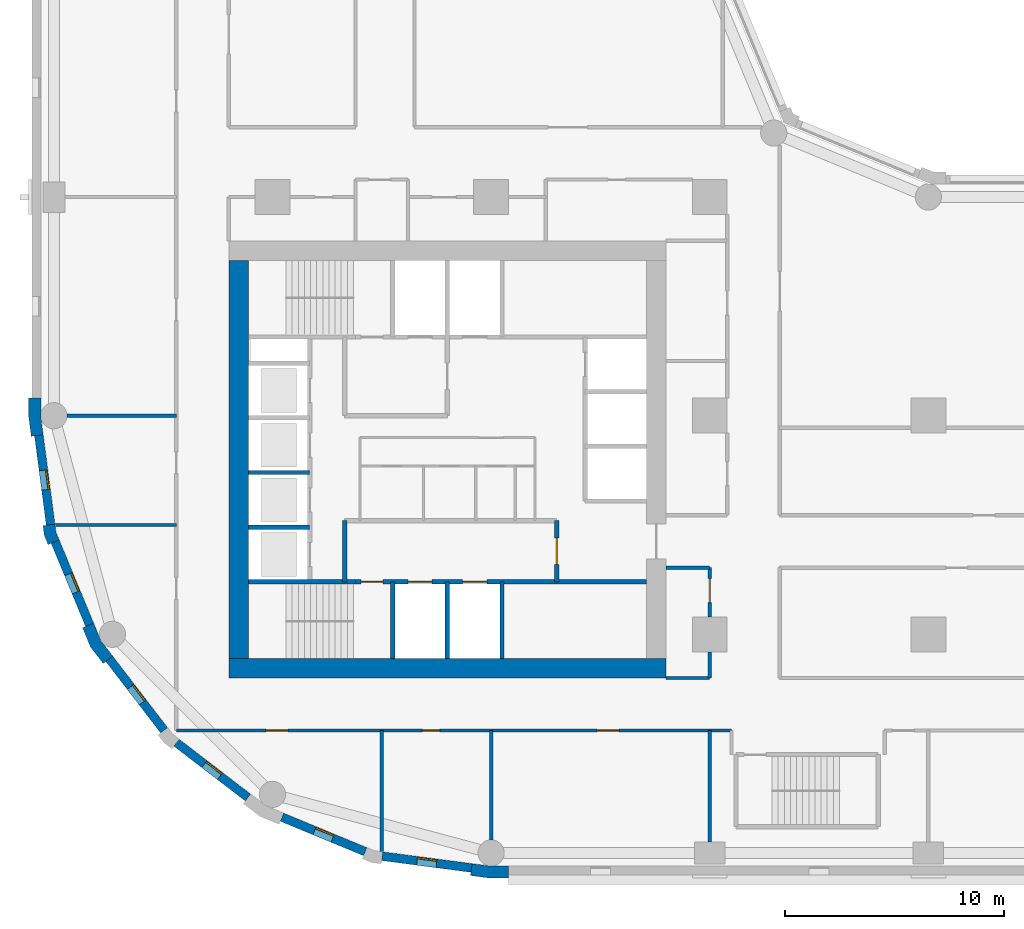
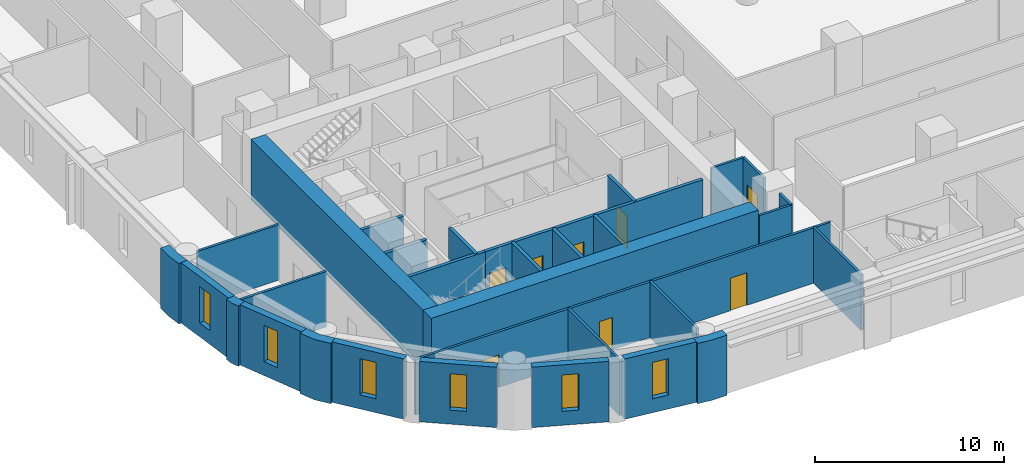
# One storey, part 2 of 11: 31 walls, 8 doors, 6 windows, 14 openings.
"""IFC4 building model written with IfcOpenShell, lengths in metres."""

from ifc_helpers import new_model, si_unit, direction, frame, frame_2d, origin, place, context, subcontext, project, spatial, polyline, rectangle, outline, extrude, material, layer, layer_set, type_object, element, fill, save


model = new_model("IFC4")

# Units and contexts
model_context = context("Model", 3, precision=1e-05, world=origin(), true_north=direction((0.0, 1.0)))
body_context = subcontext(model_context, "Body", "Model", "MODEL_VIEW")
ifc_project = project(units=[si_unit("LENGTHUNIT", "METRE"), si_unit("AREAUNIT", "SQUARE_METRE"), si_unit("VOLUMEUNIT", "CUBIC_METRE"), si_unit("PLANEANGLEUNIT", "RADIAN"), si_unit("MASSUNIT", "GRAM", prefix="KILO")], contexts=[model_context])

# Site, building, storey
site_placement = place(None, origin())
site = spatial("IfcSite", under=ifc_project, at=site_placement, CompositionType="ELEMENT")
building_placement = place(site_placement, origin())
building = spatial("IfcBuilding", under=site, at=building_placement, Name="Qaws Garden Tower", CompositionType="ELEMENT")
storey_placement = place(building_placement, frame((0.0, 0.0, 23.699951171875)))
storey = spatial("IfcBuildingStorey", under=building, at=storey_placement, Name="L05", CompositionType="ELEMENT", Elevation=23.699951171875)

# Wall, opening, window
ifc_material_1 = material(Name="Clay facing brick masonry", Category="masonry")
ifc_layer_1 = layer(ifc_material_1, 0.39990234375)
ifc_layer_set_1 = layer_set([ifc_layer_1], Name="Clay facing brick masonry")
wall_type_1 = type_object("IfcWallType", Name="Brick infill wall 400", PredefinedType="SOLIDWALL", material=ifc_layer_set_1)
wall_1_placement = place(storey_placement, frame((-0.688720703125, 19.102294921875, 0.0), z_axis=(0.0, 0.0, 1.0), x_axis=(0.130514280502, -0.991446429508, 0.0)))
wall_1 = element("IfcWall", 1, at=wall_1_placement, inside=storey, type_object=wall_type_1, Name="E-L05-infill-27", PredefinedType="SOLIDWALL", context=body_context, shape_type="SweptSolid", body=[
    extrude(rectangle(XDim=4.120849609375, YDim=0.39990234375, at=frame_2d((2.060546875, 0.0))), origin(), (0.0, 0.0, 1.0), 3.900146484375),
])
opening_1_placement = place(wall_1_placement, frame((1.610595703125, 0.0, 0.89990234375)))
opening_1 = element("IfcOpeningElement", 2, at=opening_1_placement, cuts=wall_1, Name="Opening W09", PredefinedType="OPENING", context=body_context, shape_type="SweptSolid", body=[
    extrude(rectangle(XDim=0.89990234375, YDim=2.35009765625, at=frame_2d((0.449951171875, 1.175048828125))), frame((0.0, 0.2099609375, 0.0), z_axis=(0.0, -1.0, 0.0), x_axis=(1.0, 0.0, 0.0)), (0.0, 0.0, 1.0), 0.419921875),
])
ifc_material_2 = material(Name="Aluminium framed window, clear glazing", Category="aluminium")
window_type = type_object("IfcWindowType", Name="Slit window 900 x 2350", PartitioningType="SINGLE_PANEL", PredefinedType="WINDOW", material=ifc_material_2)
window_1_placement = place(opening_1_placement, origin())
window_1 = element("IfcWindow", 3, at=window_1_placement, inside=storey, type_object=window_type, Name="E-L05-window-27-0", OverallHeight=2.35009765625, OverallWidth=0.89990234375, PartitioningType="SINGLE_PANEL", PredefinedType="WINDOW", context=body_context, shape_type="SweptSolid", body=[
    extrude(rectangle(XDim=0.89990234375, YDim=2.35009765625, at=frame_2d((0.449951171875, 1.175048828125))), frame((0.0, 0.159912109375, 0.0), z_axis=(0.0, -1.0, 0.0), x_axis=(1.0, 0.0, 0.0)), (0.0, 0.0, 1.0), 0.06005859375),
])
fill(opening_1, window_1)

wall_2_placement = place(storey_placement, frame((0.05712890625, 14.240234375, 0.0), z_axis=(0.0, 0.0, 1.0), x_axis=(0.382721546029, -0.923863744394, 0.0)))
wall_2 = element("IfcWall", 4, at=wall_2_placement, inside=storey, type_object=wall_type_1, Name="E-L05-infill-28", PredefinedType="SOLIDWALL", context=body_context, shape_type="SweptSolid", body=[
    extrude(rectangle(XDim=4.120849609375, YDim=0.39990234375, at=frame_2d((2.060546875, 0.0))), origin(), (0.0, 0.0, 1.0), 3.900146484375),
])
opening_2_placement = place(wall_2_placement, frame((1.610595703125, 0.0, 0.89990234375)))
opening_2 = element("IfcOpeningElement", 5, at=opening_2_placement, cuts=wall_2, Name="Opening W09", PredefinedType="OPENING", context=body_context, shape_type="SweptSolid", body=[
    extrude(rectangle(XDim=0.89990234375, YDim=2.35009765625, at=frame_2d((0.449951171875, 1.175048828125))), frame((0.0, 0.2099609375, 0.0), z_axis=(0.0, -1.0, 0.0), x_axis=(1.0, 0.0, 0.0)), (0.0, 0.0, 1.0), 0.419921875),
])
window_2_placement = place(opening_2_placement, origin())
window_2 = element("IfcWindow", 6, at=window_2_placement, inside=storey, type_object=window_type, Name="E-L05-window-28-0", OverallHeight=2.35009765625, OverallWidth=0.89990234375, PartitioningType="SINGLE_PANEL", PredefinedType="WINDOW", context=body_context, shape_type="SweptSolid", body=[
    extrude(rectangle(XDim=0.89990234375, YDim=2.35009765625, at=frame_2d((0.449951171875, 1.175048828125))), frame((0.0, 0.159912109375, 0.0), z_axis=(0.0, -1.0, 0.0), x_axis=(1.0, 0.0, 0.0)), (0.0, 0.0, 1.0), 0.06005859375),
])
fill(opening_2, window_2)

wall_3_placement = place(storey_placement, frame((2.53173828125, 8.87841796875, 0.0), z_axis=(0.0, 0.0, 1.0), x_axis=(0.608759824817, -0.793354571229, 0.0)))
wall_3 = element("IfcWall", 7, at=wall_3_placement, inside=storey, type_object=wall_type_1, Name="E-L05-infill-29", PredefinedType="SOLIDWALL", context=body_context, shape_type="SweptSolid", body=[
    extrude(rectangle(XDim=4.12109375, YDim=0.39990234375, at=frame_2d((2.060546875, 0.0))), origin(), (0.0, 0.0, 1.0), 3.900146484375),
])
opening_3_placement = place(wall_3_placement, frame((1.610595703125, 0.0, 0.89990234375)))
opening_3 = element("IfcOpeningElement", 8, at=opening_3_placement, cuts=wall_3, Name="Opening W09", PredefinedType="OPENING", context=body_context, shape_type="SweptSolid", body=[
    extrude(rectangle(XDim=0.89990234375, YDim=2.35009765625, at=frame_2d((0.449951171875, 1.175048828125))), frame((0.0, 0.2099609375, 0.0), z_axis=(0.0, -1.0, 0.0), x_axis=(1.0, 0.0, 0.0)), (0.0, 0.0, 1.0), 0.419921875),
])
window_3_placement = place(opening_3_placement, origin())
window_3 = element("IfcWindow", 9, at=window_3_placement, inside=storey, type_object=window_type, Name="E-L05-window-29-0", OverallHeight=2.35009765625, OverallWidth=0.89990234375, PartitioningType="SINGLE_PANEL", PredefinedType="WINDOW", context=body_context, shape_type="SweptSolid", body=[
    extrude(rectangle(XDim=0.89990234375, YDim=2.35009765625, at=frame_2d((0.449951171875, 1.175048828125))), frame((0.0, 0.159912109375, 0.0), z_axis=(0.0, -1.0, 0.0), x_axis=(1.0, 0.0, 0.0)), (0.0, 0.0, 1.0), 0.06005859375),
])
fill(opening_3, window_3)

wall_4_placement = place(storey_placement, frame((5.60888671875, 5.04052734375, 0.0), z_axis=(0.0, 0.0, 1.0), x_axis=(0.793354571229, -0.608759824817, 0.0)))
wall_4 = element("IfcWall", 10, at=wall_4_placement, inside=storey, type_object=wall_type_1, Name="E-L05-infill-30", PredefinedType="SOLIDWALL", context=body_context, shape_type="SweptSolid", body=[
    extrude(rectangle(XDim=4.12109375, YDim=0.39990234375, at=frame_2d((2.060546875, 0.0))), origin(), (0.0, 0.0, 1.0), 3.900146484375),
])
opening_4_placement = place(wall_4_placement, frame((1.610595703125, 0.0, 0.89990234375)))
opening_4 = element("IfcOpeningElement", 11, at=opening_4_placement, cuts=wall_4, Name="Opening W09", PredefinedType="OPENING", context=body_context, shape_type="SweptSolid", body=[
    extrude(rectangle(XDim=0.89990234375, YDim=2.35009765625, at=frame_2d((0.449951171875, 1.175048828125))), frame((0.0, 0.2099609375, 0.0), z_axis=(0.0, -1.0, 0.0), x_axis=(1.0, 0.0, 0.0)), (0.0, 0.0, 1.0), 0.419921875),
])
window_4_placement = place(opening_4_placement, origin())
window_4 = element("IfcWindow", 12, at=window_4_placement, inside=storey, type_object=window_type, Name="E-L05-window-30-0", OverallHeight=2.35009765625, OverallWidth=0.89990234375, PartitioningType="SINGLE_PANEL", PredefinedType="WINDOW", context=body_context, shape_type="SweptSolid", body=[
    extrude(rectangle(XDim=0.89990234375, YDim=2.35009765625, at=frame_2d((0.449951171875, 1.175048828125))), frame((0.0, 0.159912109375, 0.0), z_axis=(0.0, -1.0, 0.0), x_axis=(1.0, 0.0, 0.0)), (0.0, 0.0, 1.0), 0.06005859375),
])
fill(opening_4, window_4)

wall_5_placement = place(storey_placement, frame((10.43310546875, 1.63427734375, 0.0), z_axis=(0.0, 0.0, 1.0), x_axis=(0.923863744394, -0.382721546029, 0.0)))
wall_5 = element("IfcWall", 13, at=wall_5_placement, inside=storey, type_object=wall_type_1, Name="E-L05-infill-31", PredefinedType="SOLIDWALL", context=body_context, shape_type="SweptSolid", body=[
    extrude(rectangle(XDim=4.120849609375, YDim=0.39990234375, at=frame_2d((2.060546875, 0.0))), origin(), (0.0, 0.0, 1.0), 3.900146484375),
])
opening_5_placement = place(wall_5_placement, frame((1.610595703125, 0.0, 0.89990234375)))
opening_5 = element("IfcOpeningElement", 14, at=opening_5_placement, cuts=wall_5, Name="Opening W09", PredefinedType="OPENING", context=body_context, shape_type="SweptSolid", body=[
    extrude(rectangle(XDim=0.89990234375, YDim=2.35009765625, at=frame_2d((0.449951171875, 1.175048828125))), frame((0.0, 0.2099609375, 0.0), z_axis=(0.0, -1.0, 0.0), x_axis=(1.0, 0.0, 0.0)), (0.0, 0.0, 1.0), 0.419921875),
])
window_5_placement = place(opening_5_placement, origin())
window_5 = element("IfcWindow", 15, at=window_5_placement, inside=storey, type_object=window_type, Name="E-L05-window-31-0", OverallHeight=2.35009765625, OverallWidth=0.89990234375, PartitioningType="SINGLE_PANEL", PredefinedType="WINDOW", context=body_context, shape_type="SweptSolid", body=[
    extrude(rectangle(XDim=0.89990234375, YDim=2.35009765625, at=frame_2d((0.449951171875, 1.175048828125))), frame((0.0, 0.159912109375, 0.0), z_axis=(0.0, -1.0, 0.0), x_axis=(1.0, 0.0, 0.0)), (0.0, 0.0, 1.0), 0.06005859375),
])
fill(opening_5, window_5)

wall_6_placement = place(storey_placement, frame((15.0166015625, -0.15087890625, 0.0), z_axis=(0.0, 0.0, 1.0), x_axis=(0.991446429508, -0.130514280502, 0.0)))
wall_6 = element("IfcWall", 16, at=wall_6_placement, inside=storey, type_object=wall_type_1, Name="E-L05-infill-32", PredefinedType="SOLIDWALL", context=body_context, shape_type="SweptSolid", body=[
    extrude(rectangle(XDim=4.120849609375, YDim=0.39990234375, at=frame_2d((2.060546875, 0.0))), origin(), (0.0, 0.0, 1.0), 3.900146484375),
])
opening_6_placement = place(wall_6_placement, frame((1.610595703125, 0.0, 0.89990234375)))
opening_6 = element("IfcOpeningElement", 17, at=opening_6_placement, cuts=wall_6, Name="Opening W09", PredefinedType="OPENING", context=body_context, shape_type="SweptSolid", body=[
    extrude(rectangle(XDim=0.89990234375, YDim=2.35009765625, at=frame_2d((0.449951171875, 1.175048828125))), frame((0.0, 0.2099609375, 0.0), z_axis=(0.0, -1.0, 0.0), x_axis=(1.0, 0.0, 0.0)), (0.0, 0.0, 1.0), 0.419921875),
])
window_6_placement = place(opening_6_placement, origin())
window_6 = element("IfcWindow", 18, at=window_6_placement, inside=storey, type_object=window_type, Name="E-L05-window-32-0", OverallHeight=2.35009765625, OverallWidth=0.89990234375, PartitioningType="SINGLE_PANEL", PredefinedType="WINDOW", context=body_context, shape_type="SweptSolid", body=[
    extrude(rectangle(XDim=0.89990234375, YDim=2.35009765625, at=frame_2d((0.449951171875, 1.175048828125))), frame((0.0, 0.159912109375, 0.0), z_axis=(0.0, -1.0, 0.0), x_axis=(1.0, 0.0, 0.0)), (0.0, 0.0, 1.0), 0.06005859375),
])
fill(opening_6, window_6)

# Walls
ifc_material_3 = material(Name="Clay facing brick masonry", Category="masonry")
ifc_layer_2 = layer(ifc_material_3, 0.550048828125)
ifc_layer_set_2 = layer_set([ifc_layer_2], Name="Clay facing brick masonry")
wall_type_2 = type_object("IfcWallType", Name="Brick kink pier 550 x 600", PredefinedType="SOLIDWALL", material=ifc_layer_set_2)
placement = place(storey_placement, origin())
element("IfcWall", 19, at=placement, inside=storey, type_object=wall_type_2, Name="E-L05-pier-28", PredefinedType="SOLIDWALL", context=body_context, shape_type="SweptSolid", body=[
    extrude(outline(polyline([(-0.34912109375, 14.990478515625), (-0.497802734375, 14.970947265625), (-0.43896484375, 14.5234375), (-0.26611328125, 14.1064453125), (-0.127685546875, 14.163818359375), (0.241943359375, 14.31689453125), (0.096923828125, 14.6669921875), (0.04736328125, 15.042724609375), (-0.34912109375, 14.990478515625)])), origin(), (0.0, 0.0, 1.0), 3.900146484375),
])
ifc_material_4 = material(Name="Clay facing brick masonry", Category="masonry")
ifc_layer_3 = layer(ifc_material_4, 0.550048828125)
ifc_layer_set_3 = layer_set([ifc_layer_3], Name="Clay facing brick masonry")
wall_type_3 = type_object("IfcWallType", Name="Brick pier 550 x 1600", PredefinedType="SOLIDWALL", material=ifc_layer_set_3)
element("IfcWall", 20, at=placement, inside=storey, type_object=wall_type_3, Name="E-L05-pier-00", PredefinedType="SOLIDWALL", context=body_context, shape_type="SweptSolid", body=[
    extrude(outline(polyline([(19.076416015625, -0.886962890625), (19.056640625, -1.03564453125), (19.924560546875, -1.14990234375), (20.800048828125, -1.14990234375), (20.800048828125, -1.0), (20.800048828125, -0.60009765625), (19.960693359375, -0.60009765625), (19.12841796875, -0.490478515625), (19.076416015625, -0.886962890625)])), origin(), (0.0, 0.0, 1.0), 3.900146484375),
])
element("IfcWall", 21, at=placement, inside=storey, type_object=wall_type_3, Name="E-L05-pier-27", PredefinedType="SOLIDWALL", context=body_context, shape_type="SweptSolid", body=[
    extrude(outline(polyline([(-1.0, 20.800048828125), (-1.14990234375, 20.800048828125), (-1.14990234375, 19.924560546875), (-1.03564453125, 19.056640625), (-0.886962890625, 19.076416015625), (-0.490478515625, 19.12841796875), (-0.60009765625, 19.960693359375), (-0.60009765625, 20.800048828125), (-1.0, 20.800048828125)])), origin(), (0.0, 0.0, 1.0), 3.900146484375),
])
element("IfcWall", 22, at=placement, inside=storey, type_object=wall_type_3, Name="E-L05-pier-29", PredefinedType="SOLIDWALL", context=body_context, shape_type="SweptSolid", body=[
    extrude(outline(polyline([(1.449462890625, 10.3564453125), (1.310791015625, 10.299072265625), (1.675048828125, 9.419921875), (2.254150390625, 8.665283203125), (2.373046875, 8.756591796875), (2.6904296875, 9.0), (2.1552734375, 9.697509765625), (1.819091796875, 10.509521484375), (1.449462890625, 10.3564453125)])), origin(), (0.0, 0.0, 1.0), 3.900146484375),
])
ifc_material_5 = material(Name="Concrete C80", Category="concrete")
ifc_layer_4 = layer(ifc_material_5, 0.199951171875)
ifc_layer_set_4 = layer_set([ifc_layer_4], Name="Concrete C80")
wall_type_4 = type_object("IfcWallType", Name="Core shaft wall 200 C80", PredefinedType="SHEAR", material=ifc_layer_set_4)
wall_11_placement = place(storey_placement, frame((8.89990234375, 12.39990234375, 0.0), z_axis=(0.0, 0.0, 1.0), x_axis=(1.0, 0.0, 0.0)))
element("IfcWall", 23, at=wall_11_placement, inside=storey, type_object=wall_type_4, Name="Shaft wall", PredefinedType="SHEAR", context=body_context, shape_type="SweptSolid", body=[
    extrude(rectangle(XDim=4.900146484375, YDim=0.199951171875, at=frame_2d((2.4501953125, 0.0))), origin(), (0.0, 0.0, 1.0), 3.580078125),
])

# Wall, openings, doors
wall_12_placement = place(storey_placement, frame((13.800048828125, 12.39990234375, 0.0), z_axis=(0.0, 0.0, 1.0), x_axis=(1.0, 0.0, 0.0)))
wall_12 = element("IfcWall", 24, at=wall_12_placement, inside=storey, type_object=wall_type_4, Name="Shaft wall", PredefinedType="SHEAR", context=body_context, shape_type="SweptSolid", body=[
    extrude(rectangle(XDim=13.300048828125, YDim=0.199951171875, at=frame_2d((6.64990234375, 0.0))), origin(), (0.0, 0.0, 1.0), 3.580078125),
])
opening_7_placement = place(wall_12_placement, frame((2.39990234375, 0.0, 0.0)))
opening_7 = element("IfcOpeningElement", 25, at=opening_7_placement, cuts=wall_12, Name="Opening LD06", PredefinedType="OPENING", context=body_context, shape_type="SweptSolid", body=[
    extrude(rectangle(XDim=1.10009765625, YDim=2.10009765625, at=frame_2d((0.550048828125, 1.050048828125))), frame((0.0, 0.10986328125, 0.0), z_axis=(0.0, -1.0, 0.0), x_axis=(1.0, 0.0, 0.0)), (0.0, 0.0, 1.0), 0.219970703125),
])
opening_8_placement = place(wall_12_placement, frame((4.89990234375, 0.0, 0.0)))
opening_8 = element("IfcOpeningElement", 26, at=opening_8_placement, cuts=wall_12, Name="Opening LD07", PredefinedType="OPENING", context=body_context, shape_type="SweptSolid", body=[
    extrude(rectangle(XDim=1.10009765625, YDim=2.10009765625, at=frame_2d((0.550048828125, 1.050048828125))), frame((0.0, 0.10986328125, 0.0), z_axis=(0.0, -1.0, 0.0), x_axis=(1.0, 0.0, 0.0)), (0.0, 0.0, 1.0), 0.219970703125),
])
opening_9_placement = place(wall_12_placement, frame((0.25, 0.0, 0.0)))
opening_9 = element("IfcOpeningElement", 27, at=opening_9_placement, cuts=wall_12, Name="Opening SD10", PredefinedType="OPENING", context=body_context, shape_type="SweptSolid", body=[
    extrude(rectangle(XDim=1.0, YDim=2.10009765625, at=frame_2d((0.5, 1.050048828125))), frame((0.0, 0.10986328125, 0.0), z_axis=(0.0, -1.0, 0.0), x_axis=(1.0, 0.0, 0.0)), (0.0, 0.0, 1.0), 0.219970703125),
])
ifc_material_6 = material(Name="Steel S235", Category="steel")
door_type_1 = type_object("IfcDoorType", Name="Landing door 1100x2100", OperationType="DOUBLE_DOOR_SLIDING", PredefinedType="DOOR", material=ifc_material_6)
door_1_placement = place(opening_7_placement, origin())
door_1 = element("IfcDoor", 28, at=door_1_placement, inside=storey, type_object=door_type_1, Name="Lift FF1 landing door", OperationType="DOUBLE_DOOR_SLIDING", OverallHeight=2.10009765625, OverallWidth=1.10009765625, PredefinedType="DOOR", context=body_context, shape_type="SweptSolid", body=[
    extrude(rectangle(XDim=1.10009765625, YDim=2.10009765625, at=frame_2d((0.550048828125, 1.050048828125))), frame((0.0, 0.02490234375, 0.0), z_axis=(0.0, -1.0, 0.0), x_axis=(1.0, 0.0, 0.0)), (0.0, 0.0, 1.0), 0.050048828125),
])
fill(opening_7, door_1)
door_2_placement = place(opening_8_placement, origin())
door_2 = element("IfcDoor", 29, at=door_2_placement, inside=storey, type_object=door_type_1, Name="Lift FF2 landing door", OperationType="DOUBLE_DOOR_SLIDING", OverallHeight=2.10009765625, OverallWidth=1.10009765625, PredefinedType="DOOR", context=body_context, shape_type="SweptSolid", body=[
    extrude(rectangle(XDim=1.10009765625, YDim=2.10009765625, at=frame_2d((0.550048828125, 1.050048828125))), frame((0.0, 0.02490234375, 0.0), z_axis=(0.0, -1.0, 0.0), x_axis=(1.0, 0.0, 0.0)), (0.0, 0.0, 1.0), 0.050048828125),
])
fill(opening_8, door_2)
ifc_material_7 = material(Name="Steel S235", Category="steel")
door_type_2 = type_object("IfcDoorType", Name="Stair door 1000x2100", OperationType="SINGLE_SWING_RIGHT", PredefinedType="DOOR", material=ifc_material_7)
door_3_placement = place(opening_9_placement, frame((1.0, 0.0, 0.0), z_axis=(0.0, 0.0, 1.0), x_axis=(-1.0, 0.0, 0.0)))
door_3 = element("IfcDoor", 30, at=door_3_placement, inside=storey, type_object=door_type_2, Name="Stair 1 door", OperationType="SINGLE_SWING_LEFT", OverallHeight=2.10009765625, OverallWidth=1.0, PredefinedType="DOOR", context=body_context, shape_type="SweptSolid", body=[
    extrude(rectangle(XDim=1.0, YDim=2.10009765625, at=frame_2d((0.5, 1.050048828125))), frame((0.0, 0.02490234375, 0.0), z_axis=(0.0, -1.0, 0.0), x_axis=(1.0, 0.0, 0.0)), (0.0, 0.0, 1.0), 0.050048828125),
])
fill(opening_9, door_3)

# Walls
for number, where, z_axis, x_axis, name in (
    (31, (8.89990234375, 14.89990234375, 0.0), (0.0, 0.0, 1.0), (1.0, 0.0, 0.0), "Shaft wall"),
    (32, (8.89990234375, 17.39990234375, 0.0), (0.0, 0.0, 1.0), (1.0, 0.0, 0.0), "Shaft wall"),
    (33, (13.300048828125, 12.39990234375, 0.0), (0.0, 0.0, 1.0), (0.0, 1.0, 0.0), "Shaft wall"),
):
    element("IfcWall", number, at=place(storey_placement, frame(where, z_axis=z_axis, x_axis=x_axis)), inside=storey, type_object=wall_type_4, Name=name, PredefinedType="SHEAR", context=body_context, shape_type="SweptSolid", body=[
        extrude(rectangle(XDim=2.800048828125, YDim=0.199951171875, at=frame_2d((1.39990234375, 0.0))), origin(), (0.0, 0.0, 1.0), 3.580078125),
    ])
for number, where, z_axis, x_axis, name in (
    (34, (15.5, 8.89990234375, 0.0), (0.0, 0.0, 1.0), (0.0, 1.0, 0.0), "Shaft wall"),
    (35, (18.0, 8.89990234375, 0.0), (0.0, 0.0, 1.0), (0.0, 1.0, 0.0), "Shaft wall"),
    (36, (20.5, 8.89990234375, 0.0), (0.0, 0.0, 1.0), (0.0, 1.0, 0.0), "Shaft wall"),
):
    element("IfcWall", number, at=place(storey_placement, frame(where, z_axis=z_axis, x_axis=x_axis)), inside=storey, type_object=wall_type_4, Name=name, PredefinedType="SHEAR", context=body_context, shape_type="SweptSolid", body=[
        extrude(rectangle(XDim=3.5, YDim=0.199951171875, at=frame_2d((1.75, 0.0))), origin(), (0.0, 0.0, 1.0), 3.580078125),
    ])

# Wall, opening, door
wall_13_placement = place(storey_placement, frame((23.0, 12.39990234375, 0.0), z_axis=(0.0, 0.0, 1.0), x_axis=(0.0, 1.0, 0.0)))
wall_13 = element("IfcWall", 37, at=wall_13_placement, inside=storey, type_object=wall_type_4, Name="Shaft wall", PredefinedType="SHEAR", context=body_context, shape_type="SweptSolid", body=[
    extrude(rectangle(XDim=2.800048828125, YDim=0.199951171875, at=frame_2d((1.39990234375, 0.0))), origin(), (0.0, 0.0, 1.0), 3.580078125),
])
opening_10_placement = place(wall_13_placement, frame((0.800048828125, 0.0, 0.0)))
opening_10 = element("IfcOpeningElement", 38, at=opening_10_placement, cuts=wall_13, Name="Opening FD15", PredefinedType="OPENING", context=body_context, shape_type="SweptSolid", body=[
    extrude(rectangle(XDim=1.199951171875, YDim=2.10009765625, at=frame_2d((0.60009765625, 1.050048828125))), frame((0.0, 0.10986328125, 0.0), z_axis=(0.0, -1.0, 0.0), x_axis=(1.0, 0.0, 0.0)), (0.0, 0.0, 1.0), 0.219970703125),
])
ifc_material_8 = material(Name="Steel S235", Category="steel")
door_type_3 = type_object("IfcDoorType", Name="Lobby door 1200x2100", OperationType="DOUBLE_DOOR_SINGLE_SWING", PredefinedType="DOOR", material=ifc_material_8)
door_4_placement = place(opening_10_placement, origin())
door_4 = element("IfcDoor", 39, at=door_4_placement, inside=storey, type_object=door_type_3, Name="Fire-fighting lobby door", OperationType="DOUBLE_DOOR_SINGLE_SWING", OverallHeight=2.10009765625, OverallWidth=1.199951171875, PredefinedType="DOOR", context=body_context, shape_type="SweptSolid", body=[
    extrude(rectangle(XDim=1.199951171875, YDim=2.10009765625, at=frame_2d((0.60009765625, 1.050048828125))), frame((0.0, 0.02490234375, 0.0), z_axis=(0.0, -1.0, 0.0), x_axis=(1.0, 0.0, 0.0)), (0.0, 0.0, 1.0), 0.050048828125),
])
fill(opening_10, door_4)

# Walls
ifc_material_9 = material(Name="Concrete C80", Category="concrete")
ifc_layer_5 = layer(ifc_material_9, 0.89990234375)
ifc_layer_set_5 = layer_set([ifc_layer_5], Name="Concrete C80")
wall_type_5 = type_object("IfcWallType", Name="Core wall 900 C80", PredefinedType="SHEAR", material=ifc_layer_set_5)
wall_14_placement = place(storey_placement, frame((8.0, 8.449951171875, 0.0), z_axis=(0.0, 0.0, 1.0), x_axis=(1.0, 0.0, 0.0)))
element("IfcWall", 40, at=wall_14_placement, inside=storey, type_object=wall_type_5, Name="Core wall L05 south", PredefinedType="SHEAR", context=body_context, shape_type="SweptSolid", body=[
    extrude(rectangle(XDim=20.0, YDim=0.89990234375, at=frame_2d((10.0, 0.0))), origin(), (0.0, 0.0, 1.0), 3.900146484375),
])
wall_15_placement = place(storey_placement, frame((8.449951171875, 27.10009765625, 0.0), z_axis=(0.0, 0.0, 1.0), x_axis=(0.0, -1.0, 0.0)))
element("IfcWall", 41, at=wall_15_placement, inside=storey, type_object=wall_type_5, Name="Core wall L05 west", PredefinedType="SHEAR", context=body_context, shape_type="SweptSolid", body=[
    extrude(rectangle(XDim=18.2001953125, YDim=0.89990234375, at=frame_2d((9.10009765625, 0.0))), origin(), (0.0, 0.0, 1.0), 3.900146484375),
])
ifc_material_10 = material(Name="Gypsum board partition")
ifc_layer_6 = layer(ifc_material_10, 0.14990234375)
ifc_layer_set_6 = layer_set([ifc_layer_6], Name="Gypsum board partition")
wall_type_6 = type_object("IfcWallType", Name="PARTITION 150 EI 60", PredefinedType="PARTITIONING", material=ifc_layer_set_6)
wall_16_placement = place(storey_placement, frame((15.0, 0.06298828125, 0.0), z_axis=(0.0, 0.0, 1.0), x_axis=(0.0, 1.0, 0.0)))
element("IfcWall", 42, at=wall_16_placement, inside=storey, type_object=wall_type_6, Name="O-L05-wall-011", PredefinedType="PARTITIONING", context=body_context, shape_type="SweptSolid", body=[
    extrude(rectangle(XDim=5.537109375, YDim=0.14990234375, at=frame_2d((2.7685546875, 0.0))), origin(), (0.0, 0.0, 1.0), 3.580078125),
])
wall_17_placement = place(storey_placement, frame((20.0, 0.60009765625, 0.0), z_axis=(0.0, 0.0, 1.0), x_axis=(0.0, 1.0, 0.0)))
element("IfcWall", 43, at=wall_17_placement, inside=storey, type_object=wall_type_6, Name="O-L05-wall-015", PredefinedType="PARTITIONING", context=body_context, shape_type="SweptSolid", body=[
    extrude(rectangle(XDim=5.0, YDim=0.14990234375, at=frame_2d((2.5, 0.0))), origin(), (0.0, 0.0, 1.0), 3.580078125),
])
wall_18_placement = place(storey_placement, frame((30.0, 0.5, 0.0), z_axis=(0.0, 0.0, 1.0), x_axis=(0.0, 1.0, 0.0)))
element("IfcWall", 44, at=wall_18_placement, inside=storey, type_object=wall_type_6, Name="O-L05-wall-018", PredefinedType="PARTITIONING", context=body_context, shape_type="SweptSolid", body=[
    extrude(rectangle(XDim=5.10009765625, YDim=0.14990234375, at=frame_2d((2.550048828125, 0.0))), origin(), (0.0, 0.0, 1.0), 3.580078125),
])
wall_19_placement = place(storey_placement, frame((30.0, 8.0, 0.0), z_axis=(0.0, 0.0, 1.0), x_axis=(0.0, 1.0, 0.0)))
element("IfcWall", 45, at=wall_19_placement, inside=storey, type_object=wall_type_6, Name="O-L05-wall-019", PredefinedType="PARTITIONING", context=body_context, shape_type="SweptSolid", body=[
    extrude(rectangle(XDim=1.199951171875, YDim=0.14990234375, at=frame_2d((0.60009765625, 0.0))), origin(), (0.0, 0.0, 1.0), 3.580078125),
])

# Wall, opening, door
wall_20_placement = place(storey_placement, frame((30.0, 10.800048828125, 0.0), z_axis=(0.0, 0.0, 1.0), x_axis=(0.0, 1.0, 0.0)))
wall_20 = element("IfcWall", 46, at=wall_20_placement, inside=storey, type_object=wall_type_6, Name="O-L05-wall-020", PredefinedType="PARTITIONING", context=body_context, shape_type="SweptSolid", body=[
    extrude(rectangle(XDim=2.25, YDim=0.14990234375, at=frame_2d((1.125, 0.0))), origin(), (0.0, 0.0, 1.0), 3.580078125),
])
opening_11_placement = place(wall_20_placement, frame((0.64990234375, 0.0, 0.0)))
opening_11 = element("IfcOpeningElement", 47, at=opening_11_placement, cuts=wall_20, Name="Opening A210", PredefinedType="OPENING", context=body_context, shape_type="SweptSolid", body=[
    extrude(rectangle(XDim=1.10009765625, YDim=2.10009765625, at=frame_2d((0.550048828125, 1.050048828125))), frame((0.0, 0.0849609375, 0.0), z_axis=(0.0, -1.0, 0.0), x_axis=(1.0, 0.0, 0.0)), (0.0, 0.0, 1.0), 0.169921875),
])
ifc_material_11 = material(Name="Timber door leaf", Category="wood")
door_type_4 = type_object("IfcDoorType", Name="SERVICE ROOM DOOR 1100 X 2100", OperationType="SINGLE_SWING_LEFT", PredefinedType="DOOR", material=ifc_material_11)
door_5_placement = place(opening_11_placement, origin())
door_5 = element("IfcDoor", 48, at=door_5_placement, inside=storey, type_object=door_type_4, Name="O-L05-door-010", OperationType="SINGLE_SWING_RIGHT", OverallHeight=2.10009765625, OverallWidth=1.10009765625, PredefinedType="DOOR", context=body_context, shape_type="SweptSolid", body=[
    extrude(rectangle(XDim=1.10009765625, YDim=2.10009765625, at=frame_2d((0.550048828125, 1.050048828125))), frame((0.0, 0.02490234375, 0.0), z_axis=(0.0, -1.0, 0.0), x_axis=(1.0, 0.0, 0.0)), (0.0, 0.0, 1.0), 0.050048828125),
])
fill(opening_11, door_5)

# Wall, openings, doors
wall_21_placement = place(storey_placement, frame((5.60009765625, 5.60009765625, 0.0), z_axis=(0.0, 0.0, 1.0), x_axis=(1.0, 0.0, 0.0)))
wall_21 = element("IfcWall", 49, at=wall_21_placement, inside=storey, type_object=wall_type_6, Name="O-L05-wall-036", PredefinedType="PARTITIONING", context=body_context, shape_type="SweptSolid", body=[
    extrude(rectangle(XDim=25.39990234375, YDim=0.14990234375, at=frame_2d((12.699951171875, 0.0))), origin(), (0.0, 0.0, 1.0), 3.580078125),
])
opening_12_placement = place(wall_21_placement, frame((4.10009765625, 0.0, 0.0)))
opening_12 = element("IfcOpeningElement", 50, at=opening_12_placement, cuts=wall_21, Name="Opening A226", PredefinedType="OPENING", context=body_context, shape_type="SweptSolid", body=[
    extrude(rectangle(XDim=1.0, YDim=2.10009765625, at=frame_2d((0.5, 1.050048828125))), frame((0.0, 0.0849609375, 0.0), z_axis=(0.0, -1.0, 0.0), x_axis=(1.0, 0.0, 0.0)), (0.0, 0.0, 1.0), 0.169921875),
])
opening_13_placement = place(wall_21_placement, frame((11.25, 0.0, 0.0)))
opening_13 = element("IfcOpeningElement", 51, at=opening_13_placement, cuts=wall_21, Name="Opening A227", PredefinedType="OPENING", context=body_context, shape_type="SweptSolid", body=[
    extrude(rectangle(XDim=0.800048828125, YDim=2.10009765625, at=frame_2d((0.39990234375, 1.050048828125))), frame((0.0, 0.0849609375, 0.0), z_axis=(0.0, -1.0, 0.0), x_axis=(1.0, 0.0, 0.0)), (0.0, 0.0, 1.0), 0.169921875),
])
opening_14_placement = place(wall_21_placement, frame((19.25, 0.0, 0.0)))
opening_14 = element("IfcOpeningElement", 52, at=opening_14_placement, cuts=wall_21, Name="Opening A228", PredefinedType="OPENING", context=body_context, shape_type="SweptSolid", body=[
    extrude(rectangle(XDim=1.0, YDim=2.10009765625, at=frame_2d((0.5, 1.050048828125))), frame((0.0, 0.0849609375, 0.0), z_axis=(0.0, -1.0, 0.0), x_axis=(1.0, 0.0, 0.0)), (0.0, 0.0, 1.0), 0.169921875),
])
ifc_material_12 = material(Name="Timber door leaf", Category="wood")
door_type_5 = type_object("IfcDoorType", Name="STORE DOOR 800 X 2100", OperationType="SINGLE_SWING_LEFT", PredefinedType="DOOR", material=ifc_material_12)
door_6_placement = place(opening_13_placement, frame((0.800048828125, 0.0, 0.0), z_axis=(0.0, 0.0, 1.0), x_axis=(-1.0, 0.0, 0.0)))
door_6 = element("IfcDoor", 53, at=door_6_placement, inside=storey, type_object=door_type_5, Name="O-L05-door-027", OperationType="SINGLE_SWING_LEFT", OverallHeight=2.10009765625, OverallWidth=0.800048828125, PredefinedType="DOOR", context=body_context, shape_type="SweptSolid", body=[
    extrude(rectangle(XDim=0.800048828125, YDim=2.10009765625, at=frame_2d((0.39990234375, 1.050048828125))), frame((0.0, 0.02490234375, 0.0), z_axis=(0.0, -1.0, 0.0), x_axis=(1.0, 0.0, 0.0)), (0.0, 0.0, 1.0), 0.050048828125),
])
fill(opening_13, door_6)
ifc_material_13 = material(Name="Timber door leaf", Category="wood")
door_type_6 = type_object("IfcDoorType", Name="TENANCY ENTRANCE DOOR 1000 X 2100", OperationType="SINGLE_SWING_LEFT", PredefinedType="DOOR", material=ifc_material_13)
door_7_placement = place(opening_12_placement, frame((1.0, 0.0, 0.0), z_axis=(0.0, 0.0, 1.0), x_axis=(-1.0, 0.0, 0.0)))
door_7 = element("IfcDoor", 54, at=door_7_placement, inside=storey, type_object=door_type_6, Name="O-L05-door-026", OperationType="SINGLE_SWING_LEFT", OverallHeight=2.10009765625, OverallWidth=1.0, PredefinedType="DOOR", context=body_context, shape_type="SweptSolid", body=[
    extrude(rectangle(XDim=1.0, YDim=2.10009765625, at=frame_2d((0.5, 1.050048828125))), frame((0.0, 0.02490234375, 0.0), z_axis=(0.0, -1.0, 0.0), x_axis=(1.0, 0.0, 0.0)), (0.0, 0.0, 1.0), 0.050048828125),
])
fill(opening_12, door_7)
door_8_placement = place(opening_14_placement, frame((1.0, 0.0, 0.0), z_axis=(0.0, 0.0, 1.0), x_axis=(-1.0, 0.0, 0.0)))
door_8 = element("IfcDoor", 55, at=door_8_placement, inside=storey, type_object=door_type_6, Name="O-L05-door-028", OperationType="SINGLE_SWING_LEFT", OverallHeight=2.10009765625, OverallWidth=1.0, PredefinedType="DOOR", context=body_context, shape_type="SweptSolid", body=[
    extrude(rectangle(XDim=1.0, YDim=2.10009765625, at=frame_2d((0.5, 1.050048828125))), frame((0.0, 0.02490234375, 0.0), z_axis=(0.0, -1.0, 0.0), x_axis=(1.0, 0.0, 0.0)), (0.0, 0.0, 1.0), 0.050048828125),
])
fill(opening_14, door_8)

# Walls
for number, where, z_axis, x_axis, name in (
    (56, (28.0, 8.0, 0.0), (0.0, 0.0, 1.0), (1.0, 0.0, 0.0), "O-L05-wall-038"),
    (57, (28.0, 13.050048828125, 0.0), (0.0, 0.0, 1.0), (1.0, 0.0, 0.0), "O-L05-wall-040"),
):
    element("IfcWall", number, at=place(storey_placement, frame(where, z_axis=z_axis, x_axis=x_axis)), inside=storey, type_object=wall_type_6, Name=name, PredefinedType="PARTITIONING", context=body_context, shape_type="SweptSolid", body=[
        extrude(rectangle(XDim=2.0, YDim=0.14990234375, at=frame_2d((1.0, 0.0))), origin(), (0.0, 0.0, 1.0), 3.580078125),
    ])
wall_22_placement = place(storey_placement, frame((0.06298828125, 15.0, 0.0), z_axis=(0.0, 0.0, 1.0), x_axis=(1.0, 0.0, 0.0)))
element("IfcWall", 58, at=wall_22_placement, inside=storey, type_object=wall_type_6, Name="O-L05-wall-042", PredefinedType="PARTITIONING", context=body_context, shape_type="SweptSolid", body=[
    extrude(rectangle(XDim=5.537109375, YDim=0.14990234375, at=frame_2d((2.7685546875, 0.0))), origin(), (0.0, 0.0, 1.0), 3.580078125),
])
wall_23_placement = place(storey_placement, frame((0.60009765625, 20.0, 0.0), z_axis=(0.0, 0.0, 1.0), x_axis=(1.0, 0.0, 0.0)))
element("IfcWall", 59, at=wall_23_placement, inside=storey, type_object=wall_type_6, Name="O-L05-wall-048", PredefinedType="PARTITIONING", context=body_context, shape_type="SweptSolid", body=[
    extrude(rectangle(XDim=5.0, YDim=0.14990234375, at=frame_2d((2.5, 0.0))), origin(), (0.0, 0.0, 1.0), 3.580078125),
])

save(model, "model.ifc")
